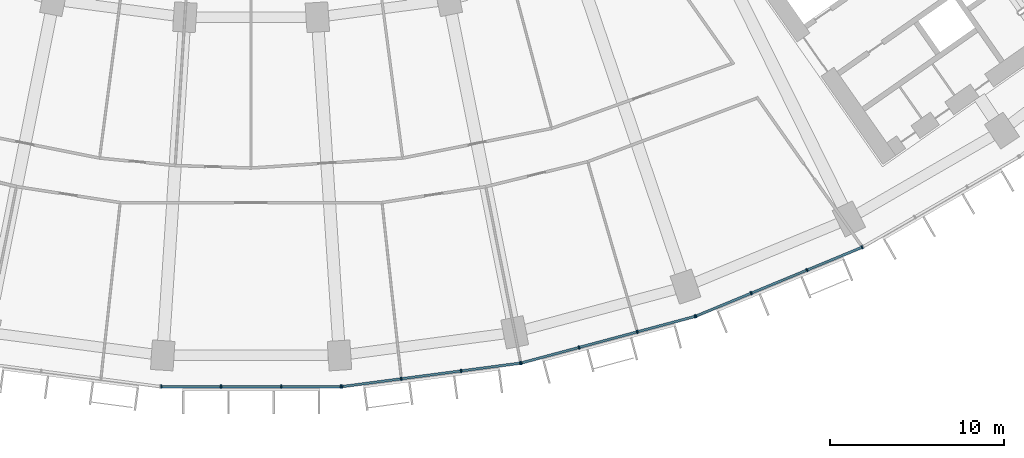
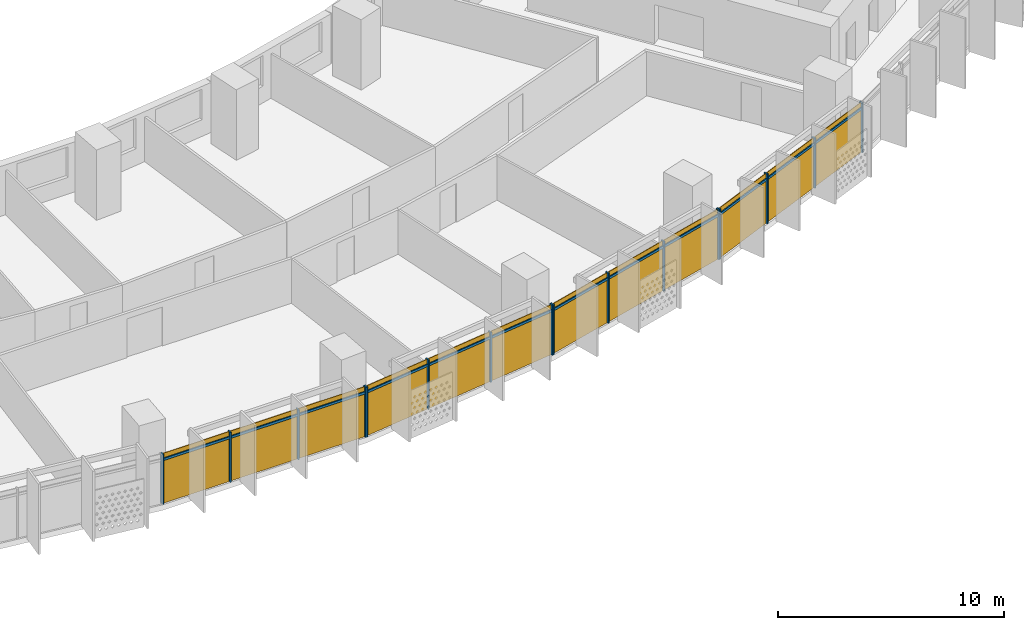
# One storey, part 21 of 31: 28 members, 4 curtain walls.
"""IFC4 building model written with IfcOpenShell, lengths in metres."""

from ifc_helpers import new_model, si_unit, direction, frame, origin, origin_2d, place, context, subcontext, project, spatial, rectangle, extrude, material, material_profile, profile_set, type_object, element, aggregate, save


model = new_model("IFC4")

# Units and contexts
model_context = context("Model", 3, precision=1e-05, world=origin(), true_north=direction((0.0, 1.0)))
body_context = subcontext(model_context, "Body", "Model", "MODEL_VIEW")
ifc_project = project(units=[si_unit("LENGTHUNIT", "METRE"), si_unit("AREAUNIT", "SQUARE_METRE"), si_unit("VOLUMEUNIT", "CUBIC_METRE"), si_unit("PLANEANGLEUNIT", "RADIAN"), si_unit("MASSUNIT", "GRAM", prefix="KILO")], contexts=[model_context])

# Member
ifc_material = material(Name="Aluminium 6063-T6 anodised", Category="aluminium")
ifc_material_profile_1 = material_profile(ifc_material, rectangle(XDim=0.199951171875, YDim=0.070068359375, at=origin_2d()))
ifc_profile_set_1 = profile_set([ifc_material_profile_1], Name="Aluminium 6063-T6 anodised")
member_type_1 = type_object("IfcMemberType", Name="Mullion 70 x 200 aluminium", PredefinedType="MULLION", material=ifc_profile_set_1)
site_placement = place(None, origin())
building_placement = place(site_placement, origin())
storey_placement = place(building_placement, frame((0.0, 0.0, 86.10009765625)))
member_1_placement = place(storey_placement, frame((-5.17431640625, -79.37939453125, 0.0), z_axis=(0.0, 0.0, 1.0), x_axis=(0.0, 1.0, 0.0)))
member_1 = element("IfcMember", 1, at=member_1_placement, type_object=member_type_1, Name="e-cw1-L18-out08/M00", PredefinedType="MULLION", context=body_context, shape_type="SweptSolid", body=[
    extrude(rectangle(XDim=0.199951171875, YDim=0.070068359375, at=origin_2d()), origin(), (0.0, 0.0, 1.0), 2.699951171875),
])

member_2_placement = place(storey_placement, frame((-1.736572265625, -79.37939453125, 0.0), z_axis=(0.0, 0.0, 1.0), x_axis=(0.0, 1.0, 0.0)))
member_2 = element("IfcMember", 2, at=member_2_placement, type_object=member_type_1, Name="e-cw1-L18-out08/M01", PredefinedType="MULLION", context=body_context, shape_type="SweptSolid", body=[
    extrude(rectangle(XDim=0.199951171875, YDim=0.070068359375, at=origin_2d()), origin(), (0.0, 0.0, 1.0), 2.699951171875),
])

member_3_placement = place(storey_placement, frame((1.736572265625, -79.37939453125, 0.0), z_axis=(0.0, 0.0, 1.0), x_axis=(0.0, 1.0, 0.0)))
member_3 = element("IfcMember", 3, at=member_3_placement, type_object=member_type_1, Name="e-cw1-L18-out08/M02", PredefinedType="MULLION", context=body_context, shape_type="SweptSolid", body=[
    extrude(rectangle(XDim=0.199951171875, YDim=0.070068359375, at=origin_2d()), origin(), (0.0, 0.0, 1.0), 2.699951171875),
])

member_4_placement = place(storey_placement, frame((5.17431640625, -79.37939453125, 0.0), z_axis=(0.0, 0.0, 1.0), x_axis=(0.0, 1.0, 0.0)))
member_4 = element("IfcMember", 4, at=member_4_placement, type_object=member_type_1, Name="e-cw1-L18-out08/M03", PredefinedType="MULLION", context=body_context, shape_type="SweptSolid", body=[
    extrude(rectangle(XDim=0.199951171875, YDim=0.070068359375, at=origin_2d()), origin(), (0.0, 0.0, 1.0), 2.699951171875),
])

member_5_placement = place(storey_placement, frame((5.23095703125, -79.375732421875, 0.0), z_axis=(0.0, 0.0, 1.0), x_axis=(-0.13052619222, 0.991444861374, 0.0)))
member_5 = element("IfcMember", 5, at=member_5_placement, type_object=member_type_1, Name="e-cw1-L18-out09/M00", PredefinedType="MULLION", context=body_context, shape_type="SweptSolid", body=[
    extrude(rectangle(XDim=0.199951171875, YDim=0.070068359375, at=origin_2d()), origin(), (0.0, 0.0, 1.0), 2.699951171875),
])

member_6_placement = place(storey_placement, frame((8.639404296875, -78.927001953125, 0.0), z_axis=(0.0, 0.0, 1.0), x_axis=(-0.13052619222, 0.991444861374, 0.0)))
member_6 = element("IfcMember", 6, at=member_6_placement, type_object=member_type_1, Name="e-cw1-L18-out09/M01", PredefinedType="MULLION", context=body_context, shape_type="SweptSolid", body=[
    extrude(rectangle(XDim=0.199951171875, YDim=0.070068359375, at=origin_2d()), origin(), (0.0, 0.0, 1.0), 2.699951171875),
])

member_7_placement = place(storey_placement, frame((12.082763671875, -78.4736328125, 0.0), z_axis=(0.0, 0.0, 1.0), x_axis=(-0.13052619222, 0.991444861374, 0.0)))
member_7 = element("IfcMember", 7, at=member_7_placement, type_object=member_type_1, Name="e-cw1-L18-out09/M02", PredefinedType="MULLION", context=body_context, shape_type="SweptSolid", body=[
    extrude(rectangle(XDim=0.199951171875, YDim=0.070068359375, at=origin_2d()), origin(), (0.0, 0.0, 1.0), 2.699951171875),
])

member_8_placement = place(storey_placement, frame((15.4912109375, -78.02490234375, 0.0), z_axis=(0.0, 0.0, 1.0), x_axis=(-0.13052619222, 0.991444861374, 0.0)))
member_8 = element("IfcMember", 8, at=member_8_placement, type_object=member_type_1, Name="e-cw1-L18-out09/M03", PredefinedType="MULLION", context=body_context, shape_type="SweptSolid", body=[
    extrude(rectangle(XDim=0.199951171875, YDim=0.070068359375, at=origin_2d()), origin(), (0.0, 0.0, 1.0), 2.699951171875),
])

member_9_placement = place(storey_placement, frame((15.546875, -78.013916015625, 0.0), z_axis=(0.0, 0.0, 1.0), x_axis=(-0.258819045103, 0.965925826289, 0.0)))
member_9 = element("IfcMember", 9, at=member_9_placement, type_object=member_type_1, Name="e-cw1-L18-out10/M00", PredefinedType="MULLION", context=body_context, shape_type="SweptSolid", body=[
    extrude(rectangle(XDim=0.199951171875, YDim=0.070068359375, at=origin_2d()), origin(), (0.0, 0.0, 1.0), 2.699951171875),
])

member_10_placement = place(storey_placement, frame((18.86767578125, -77.1240234375, 0.0), z_axis=(0.0, 0.0, 1.0), x_axis=(-0.258819045103, 0.965925826289, 0.0)))
member_10 = element("IfcMember", 10, at=member_10_placement, type_object=member_type_1, Name="e-cw1-L18-out10/M01", PredefinedType="MULLION", context=body_context, shape_type="SweptSolid", body=[
    extrude(rectangle(XDim=0.199951171875, YDim=0.070068359375, at=origin_2d()), origin(), (0.0, 0.0, 1.0), 2.699951171875),
])

member_11_placement = place(storey_placement, frame((22.22216796875, -76.225341796875, 0.0), z_axis=(0.0, 0.0, 1.0), x_axis=(-0.258819045103, 0.965925826289, 0.0)))
member_11 = element("IfcMember", 11, at=member_11_placement, type_object=member_type_1, Name="e-cw1-L18-out10/M02", PredefinedType="MULLION", context=body_context, shape_type="SweptSolid", body=[
    extrude(rectangle(XDim=0.199951171875, YDim=0.070068359375, at=origin_2d()), origin(), (0.0, 0.0, 1.0), 2.699951171875),
])

member_12_placement = place(storey_placement, frame((25.54296875, -75.33544921875, 0.0), z_axis=(0.0, 0.0, 1.0), x_axis=(-0.258819045103, 0.965925826289, 0.0)))
member_12 = element("IfcMember", 12, at=member_12_placement, type_object=member_type_1, Name="e-cw1-L18-out10/M03", PredefinedType="MULLION", context=body_context, shape_type="SweptSolid", body=[
    extrude(rectangle(XDim=0.199951171875, YDim=0.070068359375, at=origin_2d()), origin(), (0.0, 0.0, 1.0), 2.699951171875),
])

member_13_placement = place(storey_placement, frame((25.5966796875, -75.317138671875, 0.0), z_axis=(0.0, 0.0, 1.0), x_axis=(-0.382683432365, 0.923879532511, 0.0)))
member_13 = element("IfcMember", 13, at=member_13_placement, type_object=member_type_1, Name="e-cw1-L18-out11/M00", PredefinedType="MULLION", context=body_context, shape_type="SweptSolid", body=[
    extrude(rectangle(XDim=0.199951171875, YDim=0.070068359375, at=origin_2d()), origin(), (0.0, 0.0, 1.0), 2.699951171875),
])

member_14_placement = place(storey_placement, frame((28.77294921875, -74.00146484375, 0.0), z_axis=(0.0, 0.0, 1.0), x_axis=(-0.382683432365, 0.923879532511, 0.0)))
member_14 = element("IfcMember", 14, at=member_14_placement, type_object=member_type_1, Name="e-cw1-L18-out11/M01", PredefinedType="MULLION", context=body_context, shape_type="SweptSolid", body=[
    extrude(rectangle(XDim=0.199951171875, YDim=0.070068359375, at=origin_2d()), origin(), (0.0, 0.0, 1.0), 2.699951171875),
])

member_15_placement = place(storey_placement, frame((31.9814453125, -72.672607421875, 0.0), z_axis=(0.0, 0.0, 1.0), x_axis=(-0.382683432365, 0.923879532511, 0.0)))
member_15 = element("IfcMember", 15, at=member_15_placement, type_object=member_type_1, Name="e-cw1-L18-out11/M02", PredefinedType="MULLION", context=body_context, shape_type="SweptSolid", body=[
    extrude(rectangle(XDim=0.199951171875, YDim=0.070068359375, at=origin_2d()), origin(), (0.0, 0.0, 1.0), 2.699951171875),
])

member_16_placement = place(storey_placement, frame((35.15771484375, -71.35693359375, 0.0), z_axis=(0.0, 0.0, 1.0), x_axis=(-0.382683432365, 0.923879532511, 0.0)))
member_16 = element("IfcMember", 16, at=member_16_placement, type_object=member_type_1, Name="e-cw1-L18-out11/M03", PredefinedType="MULLION", context=body_context, shape_type="SweptSolid", body=[
    extrude(rectangle(XDim=0.199951171875, YDim=0.070068359375, at=origin_2d()), origin(), (0.0, 0.0, 1.0), 2.699951171875),
])

ifc_material_profile_2 = material_profile(ifc_material, rectangle(XDim=0.139892578125, YDim=0.1201171875, at=origin_2d()))
ifc_profile_set_2 = profile_set([ifc_material_profile_2], Name="Aluminium 6063-T6 anodised")
member_type_2 = type_object("IfcMemberType", Name="Transom 120 x 140 aluminium", PredefinedType="USERDEFINED", material=ifc_profile_set_2)
member_17_placement = place(storey_placement, frame((-5.139404296875, -79.37939453125, 2.39990234375), z_axis=(1.0, 0.0, 0.0), x_axis=(0.0, 1.0, 0.0)))
member_17 = element("IfcMember", 17, at=member_17_placement, type_object=member_type_2, Name="e-cw1-L18-out08/T00", ObjectType="TRANSOM", PredefinedType="USERDEFINED", context=body_context, shape_type="SweptSolid", body=[
    extrude(rectangle(XDim=0.139892578125, YDim=0.1201171875, at=origin_2d()), origin(), (0.0, 0.0, 1.0), 3.367919921875),
])

member_18_placement = place(storey_placement, frame((-1.701416015625, -79.37939453125, 2.39990234375), z_axis=(1.0, 0.0, 0.0), x_axis=(0.0, 1.0, 0.0)))
member_18 = element("IfcMember", 18, at=member_18_placement, type_object=member_type_2, Name="e-cw1-L18-out08/T01", ObjectType="TRANSOM", PredefinedType="USERDEFINED", context=body_context, shape_type="SweptSolid", body=[
    extrude(rectangle(XDim=0.139892578125, YDim=0.1201171875, at=origin_2d()), origin(), (0.0, 0.0, 1.0), 3.40283203125),
])

member_19_placement = place(storey_placement, frame((1.771484375, -79.37939453125, 2.39990234375), z_axis=(1.0, 0.0, 0.0), x_axis=(0.0, 1.0, 0.0)))
member_19 = element("IfcMember", 19, at=member_19_placement, type_object=member_type_2, Name="e-cw1-L18-out08/T02", ObjectType="TRANSOM", PredefinedType="USERDEFINED", context=body_context, shape_type="SweptSolid", body=[
    extrude(rectangle(XDim=0.139892578125, YDim=0.1201171875, at=origin_2d()), origin(), (0.0, 0.0, 1.0), 3.367919921875),
])

member_20_placement = place(storey_placement, frame((5.265625, -79.37109375, 2.39990234375), z_axis=(0.991450594138, 0.130482640159, 0.0), x_axis=(-0.130482640159, 0.991450594138, 0.0)))
member_20 = element("IfcMember", 20, at=member_20_placement, type_object=member_type_2, Name="e-cw1-L18-out09/T00", ObjectType="TRANSOM", PredefinedType="USERDEFINED", context=body_context, shape_type="SweptSolid", body=[
    extrude(rectangle(XDim=0.139892578125, YDim=0.1201171875, at=origin_2d()), origin(), (0.0, 0.0, 1.0), 3.367919921875),
])

member_21_placement = place(storey_placement, frame((8.67431640625, -78.92236328125, 2.39990234375), z_axis=(0.991447700941, 0.130504621753, 0.0), x_axis=(-0.130504621753, 0.991447700941, 0.0)))
member_21 = element("IfcMember", 21, at=member_21_placement, type_object=member_type_2, Name="e-cw1-L18-out09/T01", ObjectType="TRANSOM", PredefinedType="USERDEFINED", context=body_context, shape_type="SweptSolid", body=[
    extrude(rectangle(XDim=0.139892578125, YDim=0.1201171875, at=origin_2d()), origin(), (0.0, 0.0, 1.0), 3.40283203125),
])

member_22_placement = place(storey_placement, frame((12.117431640625, -78.46923828125, 2.39990234375), z_axis=(0.9914412138, 0.130553895303, 0.0), x_axis=(-0.130553895303, 0.9914412138, 0.0)))
member_22 = element("IfcMember", 22, at=member_22_placement, type_object=member_type_2, Name="e-cw1-L18-out09/T02", ObjectType="TRANSOM", PredefinedType="USERDEFINED", context=body_context, shape_type="SweptSolid", body=[
    extrude(rectangle(XDim=0.139892578125, YDim=0.1201171875, at=origin_2d()), origin(), (0.0, 0.0, 1.0), 3.367919921875),
])

member_23_placement = place(storey_placement, frame((15.58056640625, -78.0048828125, 2.39990234375), z_axis=(0.965915368772, 0.258858069935, 0.0), x_axis=(-0.258858069935, 0.965915368772, 0.0)))
member_23 = element("IfcMember", 23, at=member_23_placement, type_object=member_type_2, Name="e-cw1-L18-out10/T00", ObjectType="TRANSOM", PredefinedType="USERDEFINED", context=body_context, shape_type="SweptSolid", body=[
    extrude(rectangle(XDim=0.139892578125, YDim=0.1201171875, at=origin_2d()), origin(), (0.0, 0.0, 1.0), 3.367919921875),
])

member_24_placement = place(storey_placement, frame((18.9013671875, -77.114990234375, 2.39990234375), z_axis=(0.965937804901, 0.258774336176, 0.0), x_axis=(-0.258774336176, 0.965937804901, 0.0)))
member_24 = element("IfcMember", 24, at=member_24_placement, type_object=member_type_2, Name="e-cw1-L18-out10/T01", ObjectType="TRANSOM", PredefinedType="USERDEFINED", context=body_context, shape_type="SweptSolid", body=[
    extrude(rectangle(XDim=0.139892578125, YDim=0.1201171875, at=origin_2d()), origin(), (0.0, 0.0, 1.0), 3.403076171875),
])

member_25_placement = place(storey_placement, frame((22.256103515625, -76.21630859375, 2.39990234375), z_axis=(0.965915368772, 0.258858069935, 0.0), x_axis=(-0.258858069935, 0.965915368772, 0.0)))
member_25 = element("IfcMember", 25, at=member_25_placement, type_object=member_type_2, Name="e-cw1-L18-out10/T02", ObjectType="TRANSOM", PredefinedType="USERDEFINED", context=body_context, shape_type="SweptSolid", body=[
    extrude(rectangle(XDim=0.139892578125, YDim=0.1201171875, at=origin_2d()), origin(), (0.0, 0.0, 1.0), 3.367919921875),
])

member_26_placement = place(storey_placement, frame((25.629150390625, -75.3037109375, 2.39990234375), z_axis=(0.923872807855, 0.382699666719, 0.0), x_axis=(-0.382699666719, 0.923872807855, 0.0)))
member_26 = element("IfcMember", 26, at=member_26_placement, type_object=member_type_2, Name="e-cw1-L18-out11/T00", ObjectType="TRANSOM", PredefinedType="USERDEFINED", context=body_context, shape_type="SweptSolid", body=[
    extrude(rectangle(XDim=0.139892578125, YDim=0.1201171875, at=origin_2d()), origin(), (0.0, 0.0, 1.0), 3.36767578125),
])

member_27_placement = place(storey_placement, frame((28.80517578125, -73.98828125, 2.39990234375), z_axis=(0.92388567708, 0.382668597728, 0.0), x_axis=(-0.382668597728, 0.92388567708, 0.0)))
member_27 = element("IfcMember", 27, at=member_27_placement, type_object=member_type_2, Name="e-cw1-L18-out11/T01", ObjectType="TRANSOM", PredefinedType="USERDEFINED", context=body_context, shape_type="SweptSolid", body=[
    extrude(rectangle(XDim=0.139892578125, YDim=0.1201171875, at=origin_2d()), origin(), (0.0, 0.0, 1.0), 3.403076171875),
])

member_28_placement = place(storey_placement, frame((32.013916015625, -72.6591796875, 2.39990234375), z_axis=(0.923872807855, 0.382699666719, 0.0), x_axis=(-0.382699666719, 0.923872807855, 0.0)))
member_28 = element("IfcMember", 28, at=member_28_placement, type_object=member_type_2, Name="e-cw1-L18-out11/T02", ObjectType="TRANSOM", PredefinedType="USERDEFINED", context=body_context, shape_type="SweptSolid", body=[
    extrude(rectangle(XDim=0.139892578125, YDim=0.1201171875, at=origin_2d()), origin(), (0.0, 0.0, 1.0), 3.36767578125),
])

# Site, building, storey
site = spatial("IfcSite", under=ifc_project, at=site_placement, CompositionType="ELEMENT")
building = spatial("IfcBuilding", under=site, at=building_placement, Name="Qamariyya Broadcast Tower", CompositionType="ELEMENT")
storey = spatial("IfcBuildingStorey", under=building, at=storey_placement, Name="L18", CompositionType="ELEMENT", Elevation=86.10009765625)

# Curtain wall
curtain_wall_type = type_object("IfcCurtainWallType", Name="Unitised curtain wall, anodised aluminium", PredefinedType="NOTDEFINED", material=ifc_material)
curtain_wall_1_placement = place(storey_placement, origin())
curtain_wall_1 = element("IfcCurtainWall", 29, at=curtain_wall_1_placement, inside=storey, type_object=curtain_wall_type, Name="e-cw1-L18-out08", PredefinedType="NOTDEFINED", context=body_context, shape_type="SweptSolid", body=[
    extrude(rectangle(XDim=3.367919921875, YDim=0.031982421875, at=origin_2d()), frame((-3.45556640625, -79.37939453125, 0.0), x_axis=(1.0, 0.0, 0.0)), (0.0, 0.0, 1.0), 2.340087890625),
    extrude(rectangle(XDim=3.367919921875, YDim=0.031982421875, at=origin_2d()), frame((-3.45556640625, -79.37939453125, 2.4599609375), x_axis=(1.0, 0.0, 0.0)), (0.0, 0.0, 1.0), 0.239990234375),
    extrude(rectangle(XDim=3.403076171875, YDim=0.031982421875, at=origin_2d()), frame((0.0, -79.37939453125, 0.0), x_axis=(1.0, 0.0, 0.0)), (0.0, 0.0, 1.0), 2.340087890625),
    extrude(rectangle(XDim=3.403076171875, YDim=0.031982421875, at=origin_2d()), frame((0.0, -79.37939453125, 2.4599609375), x_axis=(1.0, 0.0, 0.0)), (0.0, 0.0, 1.0), 0.239990234375),
    extrude(rectangle(XDim=3.367919921875, YDim=0.031982421875, at=origin_2d()), frame((3.45556640625, -79.37939453125, 0.0), x_axis=(1.0, 0.0, 0.0)), (0.0, 0.0, 1.0), 2.340087890625),
    extrude(rectangle(XDim=3.367919921875, YDim=0.031982421875, at=origin_2d()), frame((3.45556640625, -79.37939453125, 2.4599609375), x_axis=(1.0, 0.0, 0.0)), (0.0, 0.0, 1.0), 0.239990234375),
])

aggregate(curtain_wall_1, [member_1, member_2, member_3, member_4, member_17, member_18, member_19])

curtain_wall_2_placement = place(storey_placement, origin())
curtain_wall_2 = element("IfcCurtainWall", 30, at=curtain_wall_2_placement, inside=storey, type_object=curtain_wall_type, Name="e-cw1-L18-out09", PredefinedType="NOTDEFINED", context=body_context, shape_type="SweptSolid", body=[
    extrude(rectangle(XDim=3.367919921875, YDim=0.031982421875, at=origin_2d()), frame((6.935302734375, -79.1513671875, 0.0), x_axis=(0.991445519925, 0.130521189931, 0.0)), (0.0, 0.0, 1.0), 2.340087890625),
    extrude(rectangle(XDim=3.367919921875, YDim=0.031982421875, at=origin_2d()), frame((6.935302734375, -79.1513671875, 2.4599609375), x_axis=(0.991445519925, 0.130521189931, 0.0)), (0.0, 0.0, 1.0), 0.239990234375),
    extrude(rectangle(XDim=3.40283203125, YDim=0.031982421875, at=origin_2d()), frame((10.361083984375, -78.700439453125, 0.0), x_axis=(0.991445519925, 0.130521189931, 0.0)), (0.0, 0.0, 1.0), 2.340087890625),
    extrude(rectangle(XDim=3.40283203125, YDim=0.031982421875, at=origin_2d()), frame((10.361083984375, -78.700439453125, 2.4599609375), x_axis=(0.991445519925, 0.130521189931, 0.0)), (0.0, 0.0, 1.0), 0.239990234375),
    extrude(rectangle(XDim=3.367919921875, YDim=0.031982421875, at=origin_2d()), frame((13.786865234375, -78.24951171875, 0.0), x_axis=(0.991445519925, 0.130521189931, 0.0)), (0.0, 0.0, 1.0), 2.340087890625),
    extrude(rectangle(XDim=3.367919921875, YDim=0.031982421875, at=origin_2d()), frame((13.786865234375, -78.24951171875, 2.4599609375), x_axis=(0.991445519925, 0.130521189931, 0.0)), (0.0, 0.0, 1.0), 0.239990234375),
])

aggregate(curtain_wall_2, [member_5, member_6, member_7, member_8, member_20, member_21, member_22])

curtain_wall_3_placement = place(storey_placement, origin())
curtain_wall_3 = element("IfcCurtainWall", 31, at=curtain_wall_3_placement, inside=storey, type_object=curtain_wall_type, Name="e-cw1-L18-out10", PredefinedType="NOTDEFINED", context=body_context, shape_type="SweptSolid", body=[
    extrude(rectangle(XDim=3.367919921875, YDim=0.031982421875, at=origin_2d()), frame((17.207275390625, -77.569091796875, 0.0), x_axis=(0.965925039578, 0.258821981129, 0.0)), (0.0, 0.0, 1.0), 2.340087890625),
    extrude(rectangle(XDim=3.367919921875, YDim=0.031982421875, at=origin_2d()), frame((17.207275390625, -77.569091796875, 2.4599609375), x_axis=(0.965925039578, 0.258821981129, 0.0)), (0.0, 0.0, 1.0), 0.239990234375),
    extrude(rectangle(XDim=3.40283203125, YDim=0.031982421875, at=origin_2d()), frame((20.544921875, -76.6748046875, 0.0), x_axis=(0.965925039578, 0.258821981129, 0.0)), (0.0, 0.0, 1.0), 2.340087890625),
    extrude(rectangle(XDim=3.40283203125, YDim=0.031982421875, at=origin_2d()), frame((20.544921875, -76.6748046875, 2.4599609375), x_axis=(0.965925039578, 0.258821981129, 0.0)), (0.0, 0.0, 1.0), 0.239990234375),
    extrude(rectangle(XDim=3.367919921875, YDim=0.031982421875, at=origin_2d()), frame((23.882568359375, -75.7802734375, 0.0), x_axis=(0.965925039578, 0.258821981129, 0.0)), (0.0, 0.0, 1.0), 2.340087890625),
    extrude(rectangle(XDim=3.367919921875, YDim=0.031982421875, at=origin_2d()), frame((23.882568359375, -75.7802734375, 2.4599609375), x_axis=(0.965925039578, 0.258821981129, 0.0)), (0.0, 0.0, 1.0), 0.239990234375),
])

aggregate(curtain_wall_3, [member_9, member_10, member_11, member_12, member_23, member_24, member_25])

curtain_wall_4_placement = place(storey_placement, origin())
curtain_wall_4 = element("IfcCurtainWall", 32, at=curtain_wall_4_placement, inside=storey, type_object=curtain_wall_type, Name="e-cw1-L18-out11", PredefinedType="NOTDEFINED", context=body_context, shape_type="SweptSolid", body=[
    extrude(rectangle(XDim=3.367919921875, YDim=0.031982421875, at=origin_2d()), frame((27.184814453125, -74.659423828125, 0.0), x_axis=(0.92387774222, 0.382687754482, 0.0)), (0.0, 0.0, 1.0), 2.340087890625),
    extrude(rectangle(XDim=3.367919921875, YDim=0.031982421875, at=origin_2d()), frame((27.184814453125, -74.659423828125, 2.4599609375), x_axis=(0.92387774222, 0.382687754482, 0.0)), (0.0, 0.0, 1.0), 0.239990234375),
    extrude(rectangle(XDim=3.40283203125, YDim=0.031982421875, at=origin_2d()), frame((30.377197265625, -73.3369140625, 0.0), x_axis=(0.92387774222, 0.382687754482, 0.0)), (0.0, 0.0, 1.0), 2.340087890625),
    extrude(rectangle(XDim=3.40283203125, YDim=0.031982421875, at=origin_2d()), frame((30.377197265625, -73.3369140625, 2.4599609375), x_axis=(0.92387774222, 0.382687754482, 0.0)), (0.0, 0.0, 1.0), 0.239990234375),
    extrude(rectangle(XDim=3.367919921875, YDim=0.031982421875, at=origin_2d()), frame((33.569580078125, -72.0146484375, 0.0), x_axis=(0.92387774222, 0.382687754482, 0.0)), (0.0, 0.0, 1.0), 2.340087890625),
    extrude(rectangle(XDim=3.367919921875, YDim=0.031982421875, at=origin_2d()), frame((33.569580078125, -72.0146484375, 2.4599609375), x_axis=(0.92387774222, 0.382687754482, 0.0)), (0.0, 0.0, 1.0), 0.239990234375),
])

aggregate(curtain_wall_4, [member_13, member_14, member_15, member_16, member_26, member_27, member_28])

save(model, "model.ifc")
